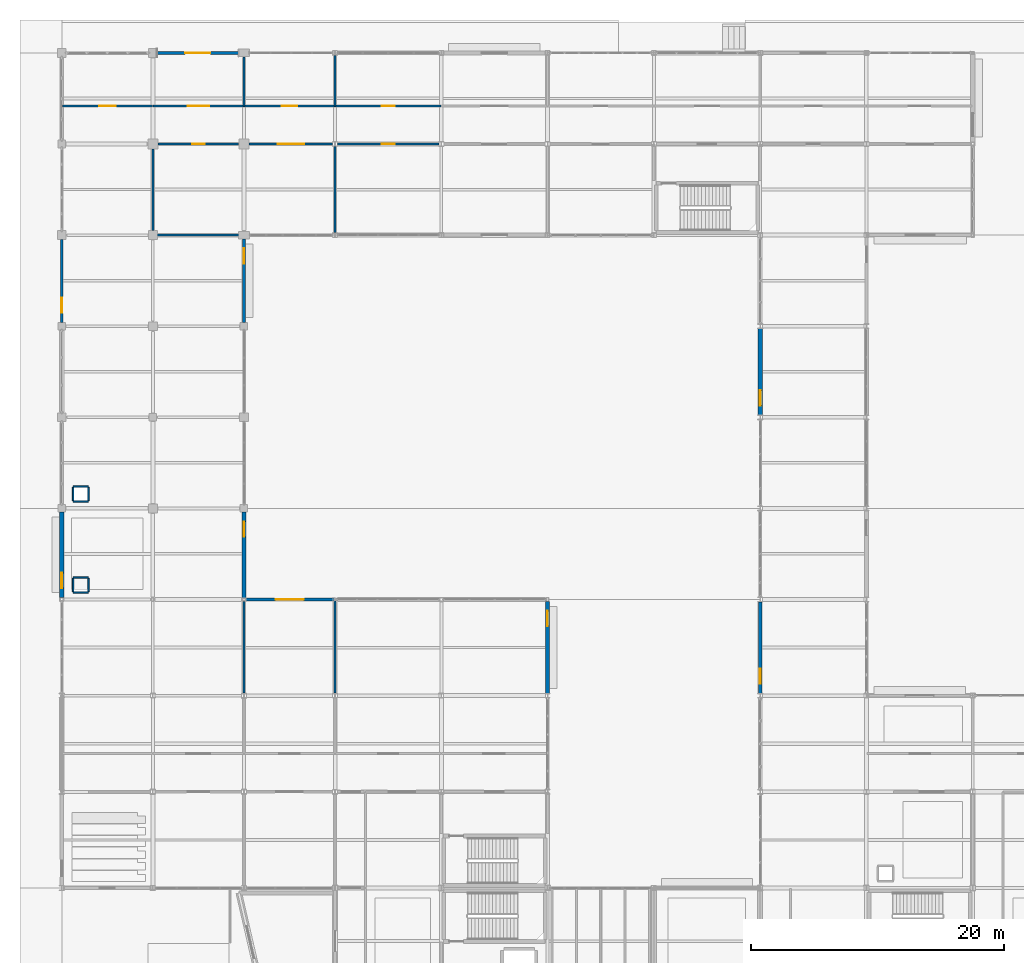
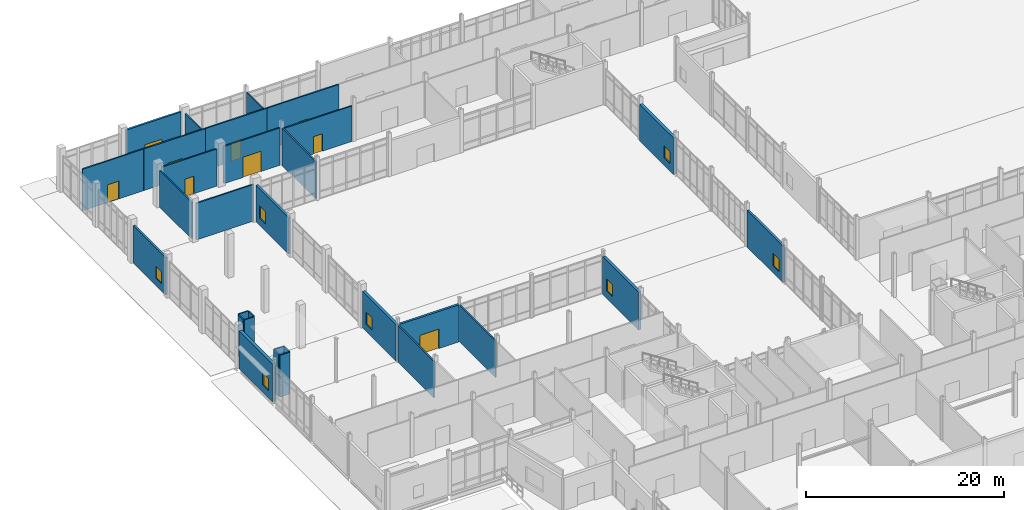
# One storey, part 195 of 229: 31 walls, 9 doors, 7 windows, 16 openings.
"""IFC4 building model written with IfcOpenShell, lengths in metres."""

from ifc_helpers import new_model, si_unit, direction, frame, frame_2d, origin, place, context, subcontext, project, spatial, rectangle, extrude, material, layer, layer_set, type_object, element, fill, save


model = new_model("IFC4")

# Units and contexts
model_context = context("Model", 3, precision=1e-05, world=origin(), true_north=direction((0.0, 1.0)))
body_context = subcontext(model_context, "Body", "Model", "MODEL_VIEW")
ifc_project = project(units=[si_unit("LENGTHUNIT", "METRE"), si_unit("AREAUNIT", "SQUARE_METRE"), si_unit("VOLUMEUNIT", "CUBIC_METRE"), si_unit("PLANEANGLEUNIT", "RADIAN"), si_unit("MASSUNIT", "GRAM", prefix="KILO")], contexts=[model_context])

# Site, building, storey
site_placement = place(None, origin())
site = spatial("IfcSite", under=ifc_project, at=site_placement, CompositionType="ELEMENT")
building_placement = place(site_placement, origin())
building = spatial("IfcBuilding", under=site, at=building_placement, Name="Calvrana Isthmian Art Gallery", CompositionType="ELEMENT")
storey_placement = place(building_placement, origin())
storey = spatial("IfcBuildingStorey", under=building, at=storey_placement, Name="L00", CompositionType="ELEMENT", Elevation=0.0)

# Wall, opening, door
ifc_material_1 = material(Name="Precast concrete C40/50", Category="concrete")
ifc_layer_1 = layer(ifc_material_1, 0.219970703125, Name="Precast concrete C40/50")
ifc_layer_set_1 = layer_set([ifc_layer_1], Name="Precast concrete C40/50")
wall_type_1 = type_object("IfcWallType", Name="EW-ACOUST-220", PredefinedType="SOLIDWALL", material=ifc_layer_set_1)
wall_1_placement = place(storey_placement, frame((7.550048828125, 112.800048828125, 0.0), z_axis=(0.0, 0.0, 1.0), x_axis=(1.0, 0.0, 0.0)))
wall_1 = element("IfcWall", 1, at=wall_1_placement, inside=storey, type_object=wall_type_1, Name="Exterior wall EW-023", PredefinedType="SOLIDWALL", context=body_context, shape_type="SweptSolid", body=[
    extrude(rectangle(XDim=6.39990234375, YDim=0.219970703125, at=frame_2d((3.199951171875, 0.0))), origin(), (0.0, 0.0, 1.0), 4.835205078125),
])
opening_1_placement = place(wall_1_placement, frame((2.199951171875, 0.0, 0.0)))
opening_1 = element("IfcOpeningElement", 2, at=opening_1_placement, cuts=wall_1, Name="Opening D-E14", PredefinedType="OPENING", context=body_context, shape_type="SweptSolid", body=[
    extrude(rectangle(XDim=2.0, YDim=2.25, at=frame_2d((1.0, 1.125))), frame((0.0, 0.1201171875, 0.0), z_axis=(0.0, -1.0, 0.0), x_axis=(1.0, 0.0, 0.0)), (0.0, 0.0, 1.0), 0.240478515625),
])
ifc_material_2 = material(Name="Steel ASTM A572 Gr 50", Category="steel")
door_type_1 = type_object("IfcDoorType", Name="DR-EXT-EXIT-2000", OperationType="DOUBLE_DOOR_SINGLE_SWING", PredefinedType="DOOR", material=ifc_material_2)
door_1_placement = place(opening_1_placement, origin())
door_1 = element("IfcDoor", 3, at=door_1_placement, inside=storey, type_object=door_type_1, Name="Main entrance pedestrian exit D-E14", OperationType="DOUBLE_DOOR_SINGLE_SWING", OverallHeight=2.25, OverallWidth=2.0, PredefinedType="DOOR", context=body_context, shape_type="SweptSolid", body=[
    extrude(rectangle(XDim=2.0, YDim=2.25, at=frame_2d((1.0, 1.125))), frame((0.0, 0.02490234375, 0.0), z_axis=(0.0, -1.0, 0.0), x_axis=(1.0, 0.0, 0.0)), (0.0, 0.0, 1.0), 0.050048828125),
])
fill(opening_1, door_1)

# Wall, opening, window
wall_2_placement = place(storey_placement, frame((0.0, 91.5, 0.0), z_axis=(0.0, 0.0, 1.0), x_axis=(0.0, 1.0, 0.0)))
wall_2 = element("IfcWall", 4, at=wall_2_placement, inside=storey, type_object=wall_type_1, Name="Exterior wall EW-031", PredefinedType="SOLIDWALL", context=body_context, shape_type="SweptSolid", body=[
    extrude(rectangle(XDim=6.550048828125, YDim=0.219970703125, at=frame_2d((3.27490234375, 0.0))), origin(), (0.0, 0.0, 1.0), 4.60693359375),
])
opening_2_placement = place(wall_2_placement, frame((0.75, 0.0, 0.89990234375)))
opening_2 = element("IfcOpeningElement", 5, at=opening_2_placement, cuts=wall_2, Name="Opening W-004", PredefinedType="OPENING", context=body_context, shape_type="SweptSolid", body=[
    extrude(rectangle(XDim=1.199951171875, YDim=1.5, at=frame_2d((0.60009765625, 0.75))), frame((0.0, 0.1201171875, 0.0), z_axis=(0.0, -1.0, 0.0), x_axis=(1.0, 0.0, 0.0)), (0.0, 0.0, 1.0), 0.240478515625),
])
ifc_material_3 = material(Name="Low-E laminated solar glass", Category="glass")
window_type = type_object("IfcWindowType", Name="WN-G01", PartitioningType="SINGLE_PANEL", PredefinedType="WINDOW", material=ifc_material_3)
window_1_placement = place(opening_2_placement, origin())
window_1 = element("IfcWindow", 6, at=window_1_placement, inside=storey, type_object=window_type, Name="Facade window W-004", OverallHeight=1.5, OverallWidth=1.199951171875, PartitioningType="SINGLE_PANEL", PredefinedType="WINDOW", context=body_context, shape_type="SweptSolid", body=[
    extrude(rectangle(XDim=1.199951171875, YDim=1.5, at=frame_2d((0.60009765625, 0.75))), frame((0.0, 0.030029296875, 0.0), z_axis=(0.0, -1.0, 0.0), x_axis=(1.0, 0.0, 0.0)), (0.0, 0.0, 1.0), 0.06005859375),
])
fill(opening_2, window_1)

ifc_material_4 = material(Name="Pale Isthmian limestone", Category="masonry")
ifc_layer_2 = layer(ifc_material_4, 0.300048828125, Name="Pale Isthmian limestone")
ifc_layer_set_2 = layer_set([ifc_layer_2], Name="Pale Isthmian limestone")
wall_type_2 = type_object("IfcWallType", Name="EW-LIME-300", PredefinedType="SOLIDWALL", material=ifc_layer_set_2)
wall_3_placement = place(storey_placement, frame((14.39990234375, 76.5, 0.0), z_axis=(0.0, 0.0, 1.0), x_axis=(0.0, -1.0, 0.0)))
wall_3 = element("IfcWall", 7, at=wall_3_placement, inside=storey, type_object=wall_type_2, Name="Exterior wall EW-032", PredefinedType="SOLIDWALL", context=body_context, shape_type="SweptSolid", body=[
    extrude(rectangle(XDim=6.77294921875, YDim=0.300048828125, at=frame_2d((3.386474609375, 0.0))), origin(), (0.0, 0.0, 1.0), 4.532958984375),
])
opening_3_placement = place(wall_3_placement, frame((0.75, 0.0, 0.89990234375)))
opening_3 = element("IfcOpeningElement", 8, at=opening_3_placement, cuts=wall_3, Name="Opening W-005", PredefinedType="OPENING", context=body_context, shape_type="SweptSolid", body=[
    extrude(rectangle(XDim=1.199951171875, YDim=1.5, at=frame_2d((0.60009765625, 0.75))), frame((0.0, 0.16015625, 0.0), z_axis=(0.0, -1.0, 0.0), x_axis=(1.0, 0.0, 0.0)), (0.0, 0.0, 1.0), 0.320556640625),
])
window_2_placement = place(opening_3_placement, origin())
window_2 = element("IfcWindow", 9, at=window_2_placement, inside=storey, type_object=window_type, Name="Facade window W-005", OverallHeight=1.5, OverallWidth=1.199951171875, PartitioningType="SINGLE_PANEL", PredefinedType="WINDOW", context=body_context, shape_type="SweptSolid", body=[
    extrude(rectangle(XDim=1.199951171875, YDim=1.5, at=frame_2d((0.60009765625, 0.75))), frame((0.0, 0.030029296875, 0.0), z_axis=(0.0, -1.0, 0.0), x_axis=(1.0, 0.0, 0.0)), (0.0, 0.0, 1.0), 0.06005859375),
])
fill(opening_3, window_2)

wall_4_placement = place(storey_placement, frame((38.39990234375, 69.447509765625, 0.0), z_axis=(0.0, 0.0, 1.0), x_axis=(0.0, -1.0, 0.0)))
wall_4 = element("IfcWall", 10, at=wall_4_placement, inside=storey, type_object=wall_type_2, Name="Exterior wall EW-036", PredefinedType="SOLIDWALL", context=body_context, shape_type="SweptSolid", body=[
    extrude(rectangle(XDim=7.26953125, YDim=0.300048828125, at=frame_2d((3.634765625, 0.0))), origin(), (0.0, 0.0, 1.0), 4.677978515625),
])
opening_4_placement = place(wall_4_placement, frame((0.75, 0.0, 0.89990234375)))
opening_4 = element("IfcOpeningElement", 11, at=opening_4_placement, cuts=wall_4, Name="Opening W-008", PredefinedType="OPENING", context=body_context, shape_type="SweptSolid", body=[
    extrude(rectangle(XDim=1.199951171875, YDim=1.5, at=frame_2d((0.60009765625, 0.75))), frame((0.0, 0.16015625, 0.0), z_axis=(0.0, -1.0, 0.0), x_axis=(1.0, 0.0, 0.0)), (0.0, 0.0, 1.0), 0.320556640625),
])
window_3_placement = place(opening_4_placement, origin())
window_3 = element("IfcWindow", 12, at=window_3_placement, inside=storey, type_object=window_type, Name="Facade window W-008", OverallHeight=1.5, OverallWidth=1.199951171875, PartitioningType="SINGLE_PANEL", PredefinedType="WINDOW", context=body_context, shape_type="SweptSolid", body=[
    extrude(rectangle(XDim=1.199951171875, YDim=1.5, at=frame_2d((0.60009765625, 0.75))), frame((0.0, 0.030029296875, 0.0), z_axis=(0.0, -1.0, 0.0), x_axis=(1.0, 0.0, 0.0)), (0.0, 0.0, 1.0), 0.06005859375),
])
fill(opening_4, window_3)

ifc_layer_3 = layer(ifc_material_1, 0.35009765625, Name="Precast concrete C40/50")
ifc_layer_set_3 = layer_set([ifc_layer_3], Name="Precast concrete C40/50")
wall_type_3 = type_object("IfcWallType", Name="EW-PREC-350", PredefinedType="SOLIDWALL", material=ifc_layer_set_3)
wall_5_placement = place(storey_placement, frame((0.0, 69.75244140625, 0.0), z_axis=(0.0, 0.0, 1.0), x_axis=(0.0, 1.0, 0.0)))
wall_5 = element("IfcWall", 13, at=wall_5_placement, inside=storey, type_object=wall_type_3, Name="Exterior wall EW-030", PredefinedType="SOLIDWALL", context=body_context, shape_type="SweptSolid", body=[
    extrude(rectangle(XDim=6.74755859375, YDim=0.35009765625, at=frame_2d((3.373779296875, 0.0))), origin(), (0.0, 0.0, 1.0), 4.677978515625),
])
opening_5_placement = place(wall_5_placement, frame((0.75, 0.0, 0.89990234375)))
opening_5 = element("IfcOpeningElement", 14, at=opening_5_placement, cuts=wall_5, Name="Opening W-003", PredefinedType="OPENING", context=body_context, shape_type="SweptSolid", body=[
    extrude(rectangle(XDim=1.199951171875, YDim=1.5, at=frame_2d((0.60009765625, 0.75))), frame((0.0, 0.185302734375, 0.0), z_axis=(0.0, -1.0, 0.0), x_axis=(1.0, 0.0, 0.0)), (0.0, 0.0, 1.0), 0.37060546875),
])
window_4_placement = place(opening_5_placement, origin())
window_4 = element("IfcWindow", 15, at=window_4_placement, inside=storey, type_object=window_type, Name="Facade window W-003", OverallHeight=1.5, OverallWidth=1.199951171875, PartitioningType="SINGLE_PANEL", PredefinedType="WINDOW", context=body_context, shape_type="SweptSolid", body=[
    extrude(rectangle(XDim=1.199951171875, YDim=1.5, at=frame_2d((0.60009765625, 0.75))), frame((0.0, 0.030029296875, 0.0), z_axis=(0.0, -1.0, 0.0), x_axis=(1.0, 0.0, 0.0)), (0.0, 0.0, 1.0), 0.06005859375),
])
fill(opening_5, window_4)

wall_6_placement = place(storey_placement, frame((55.199951171875, 84.181396484375, 0.0), z_axis=(0.0, 0.0, 1.0), x_axis=(0.0, 1.0, 0.0)))
wall_6 = element("IfcWall", 16, at=wall_6_placement, inside=storey, type_object=wall_type_3, Name="Exterior wall EW-038", PredefinedType="SOLIDWALL", context=body_context, shape_type="SweptSolid", body=[
    extrude(rectangle(XDim=6.834716796875, YDim=0.35009765625, at=frame_2d((3.41748046875, 0.0))), origin(), (0.0, 0.0, 1.0), 4.528076171875),
])
opening_6_placement = place(wall_6_placement, frame((0.75, 0.0, 0.89990234375)))
opening_6 = element("IfcOpeningElement", 17, at=opening_6_placement, cuts=wall_6, Name="Opening W-010", PredefinedType="OPENING", context=body_context, shape_type="SweptSolid", body=[
    extrude(rectangle(XDim=1.199951171875, YDim=1.5, at=frame_2d((0.60009765625, 0.75))), frame((0.0, 0.185302734375, 0.0), z_axis=(0.0, -1.0, 0.0), x_axis=(1.0, 0.0, 0.0)), (0.0, 0.0, 1.0), 0.37060546875),
])
window_5_placement = place(opening_6_placement, origin())
window_5 = element("IfcWindow", 18, at=window_5_placement, inside=storey, type_object=window_type, Name="Facade window W-010", OverallHeight=1.5, OverallWidth=1.199951171875, PartitioningType="SINGLE_PANEL", PredefinedType="WINDOW", context=body_context, shape_type="SweptSolid", body=[
    extrude(rectangle(XDim=1.199951171875, YDim=1.5, at=frame_2d((0.60009765625, 0.75))), frame((0.0, 0.030029296875, 0.0), z_axis=(0.0, -1.0, 0.0), x_axis=(1.0, 0.0, 0.0)), (0.0, 0.0, 1.0), 0.06005859375),
])
fill(opening_6, window_5)

# Wall, opening, door
ifc_material_5 = material(Name="Polychrome glazed terracotta", Category="masonry")
ifc_layer_4 = layer(ifc_material_5, 0.25, Name="Polychrome glazed terracotta")
ifc_layer_set_4 = layer_set([ifc_layer_4], Name="Polychrome glazed terracotta")
wall_type_4 = type_object("IfcWallType", Name="EW-TERRA-250", PredefinedType="SOLIDWALL", material=ifc_layer_set_4)
wall_7_placement = place(storey_placement, frame((14.527099609375, 69.60009765625, 0.0), z_axis=(0.0, 0.0, 1.0), x_axis=(1.0, 0.0, 0.0)))
wall_7 = element("IfcWall", 19, at=wall_7_placement, inside=storey, type_object=wall_type_4, Name="Exterior wall EW-017", PredefinedType="SOLIDWALL", context=body_context, shape_type="SweptSolid", body=[
    extrude(rectangle(XDim=6.97119140625, YDim=0.25, at=frame_2d((3.485595703125, 0.0))), origin(), (0.0, 0.0, 1.0), 4.591064453125),
])
opening_7_placement = place(wall_7_placement, frame((2.3857421875, 0.0, 0.0)))
opening_7 = element("IfcOpeningElement", 20, at=opening_7_placement, cuts=wall_7, Name="Opening D-E10", PredefinedType="OPENING", context=body_context, shape_type="SweptSolid", body=[
    extrude(rectangle(XDim=2.199951171875, YDim=2.39990234375, at=frame_2d((1.10009765625, 1.199951171875))), frame((0.0, 0.13525390625, 0.0), z_axis=(0.0, -1.0, 0.0), x_axis=(1.0, 0.0, 0.0)), (0.0, 0.0, 1.0), 0.2705078125),
])
ifc_material_6 = material(Name="Anodized bronze aluminium 6063-T6", Category="aluminium")
door_type_2 = type_object("IfcDoorType", Name="DR-EXT-MAIN-2200", OperationType="DOUBLE_DOOR_SINGLE_SWING", PredefinedType="DOOR", material=ifc_material_6)
door_2_placement = place(opening_7_placement, origin())
door_2 = element("IfcDoor", 21, at=door_2_placement, inside=storey, type_object=door_type_2, Name="Main entrance pedestrian exit D-E10", OperationType="DOUBLE_DOOR_SINGLE_SWING", OverallHeight=2.39990234375, OverallWidth=2.199951171875, PredefinedType="DOOR", context=body_context, shape_type="SweptSolid", body=[
    extrude(rectangle(XDim=2.199951171875, YDim=2.39990234375, at=frame_2d((1.10009765625, 1.199951171875))), frame((0.0, 0.02490234375, 0.0), z_axis=(0.0, -1.0, 0.0), x_axis=(1.0, 0.0, 0.0)), (0.0, 0.0, 1.0), 0.050048828125),
])
fill(opening_7, door_2)

# Wall, opening, window
wall_8_placement = place(storey_placement, frame((14.39990234375, 98.10009765625, 0.0), z_axis=(0.0, 0.0, 1.0), x_axis=(0.0, -1.0, 0.0)))
wall_8 = element("IfcWall", 22, at=wall_8_placement, inside=storey, type_object=wall_type_4, Name="Exterior wall EW-033", PredefinedType="SOLIDWALL", context=body_context, shape_type="SweptSolid", body=[
    extrude(rectangle(XDim=6.60009765625, YDim=0.25, at=frame_2d((3.300048828125, 0.0))), origin(), (0.0, 0.0, 1.0), 4.528076171875),
])
opening_8_placement = place(wall_8_placement, frame((0.75, 0.0, 0.89990234375)))
opening_8 = element("IfcOpeningElement", 23, at=opening_8_placement, cuts=wall_8, Name="Opening W-006", PredefinedType="OPENING", context=body_context, shape_type="SweptSolid", body=[
    extrude(rectangle(XDim=1.199951171875, YDim=1.5, at=frame_2d((0.60009765625, 0.75))), frame((0.0, 0.13525390625, 0.0), z_axis=(0.0, -1.0, 0.0), x_axis=(1.0, 0.0, 0.0)), (0.0, 0.0, 1.0), 0.2705078125),
])
window_6_placement = place(opening_8_placement, origin())
window_6 = element("IfcWindow", 24, at=window_6_placement, inside=storey, type_object=window_type, Name="Facade window W-006", OverallHeight=1.5, OverallWidth=1.199951171875, PartitioningType="SINGLE_PANEL", PredefinedType="WINDOW", context=body_context, shape_type="SweptSolid", body=[
    extrude(rectangle(XDim=1.199951171875, YDim=1.5, at=frame_2d((0.60009765625, 0.75))), frame((0.0, 0.030029296875, 0.0), z_axis=(0.0, -1.0, 0.0), x_axis=(1.0, 0.0, 0.0)), (0.0, 0.0, 1.0), 0.06005859375),
])
fill(opening_8, window_6)

wall_9_placement = place(storey_placement, frame((55.199951171875, 62.18408203125, 0.0), z_axis=(0.0, 0.0, 1.0), x_axis=(0.0, 1.0, 0.0)))
wall_9 = element("IfcWall", 25, at=wall_9_placement, inside=storey, type_object=wall_type_4, Name="Exterior wall EW-037", PredefinedType="SOLIDWALL", context=body_context, shape_type="SweptSolid", body=[
    extrude(rectangle(XDim=7.2294921875, YDim=0.25, at=frame_2d((3.61474609375, 0.0))), origin(), (0.0, 0.0, 1.0), 4.532958984375),
])
opening_9_placement = place(wall_9_placement, frame((0.75, 0.0, 0.89990234375)))
opening_9 = element("IfcOpeningElement", 26, at=opening_9_placement, cuts=wall_9, Name="Opening W-009", PredefinedType="OPENING", context=body_context, shape_type="SweptSolid", body=[
    extrude(rectangle(XDim=1.199951171875, YDim=1.5, at=frame_2d((0.60009765625, 0.75))), frame((0.0, 0.13525390625, 0.0), z_axis=(0.0, -1.0, 0.0), x_axis=(1.0, 0.0, 0.0)), (0.0, 0.0, 1.0), 0.2705078125),
])
window_7_placement = place(opening_9_placement, origin())
window_7 = element("IfcWindow", 27, at=window_7_placement, inside=storey, type_object=window_type, Name="Facade window W-009", OverallHeight=1.5, OverallWidth=1.199951171875, PartitioningType="SINGLE_PANEL", PredefinedType="WINDOW", context=body_context, shape_type="SweptSolid", body=[
    extrude(rectangle(XDim=1.199951171875, YDim=1.5, at=frame_2d((0.60009765625, 0.75))), frame((0.0, 0.030029296875, 0.0), z_axis=(0.0, -1.0, 0.0), x_axis=(1.0, 0.0, 0.0)), (0.0, 0.0, 1.0), 0.06005859375),
])
fill(opening_9, window_7)

# Walls
ifc_material_7 = material(Name="Acoustic gypsum ceiling", Category="gypsum")
ifc_layer_5 = layer(ifc_material_7, 0.1201171875, Name="Acoustic gypsum ceiling")
ifc_layer_set_5 = layer_set([ifc_layer_5], Name="Acoustic gypsum ceiling")
wall_type_5 = type_object("IfcWallType", Name="PW-FURR-120", PredefinedType="PARTITIONING", material=ifc_layer_set_5)
for number, where, z_axis, x_axis, name in (
    (28, (0.89990234375, 70.139892578125, 0.0), (0.0, 0.0, 1.0), (1.0, 0.0, 0.0), "MEP riser enclosure L00-5S"),
    (29, (0.89990234375, 71.340087890625, 0.0), (0.0, 0.0, 1.0), (1.0, 0.0, 0.0), "MEP riser enclosure L00-5N"),
):
    element("IfcWall", number, at=place(storey_placement, frame(where, z_axis=z_axis, x_axis=x_axis)), inside=storey, type_object=wall_type_5, Name=name, PredefinedType="PARTITIONING", context=body_context, shape_type="SweptSolid", body=[
        extrude(rectangle(XDim=1.2001953125, YDim=0.1201171875, at=frame_2d((0.60009765625, 0.0))), origin(), (0.0, 0.0, 1.0), 5.159912109375),
    ])
for number, where, z_axis, x_axis, name in (
    (30, (0.89990234375, 70.219970703125, 0.0), (0.0, 0.0, 1.0), (0.0, 1.0, 0.0), "MEP riser enclosure L00-5W"),
    (31, (2.10009765625, 70.219970703125, 0.0), (0.0, 0.0, 1.0), (0.0, 1.0, 0.0), "MEP riser enclosure L00-5E"),
):
    element("IfcWall", number, at=place(storey_placement, frame(where, z_axis=z_axis, x_axis=x_axis)), inside=storey, type_object=wall_type_5, Name=name, PredefinedType="PARTITIONING", context=body_context, shape_type="SweptSolid", body=[
        extrude(rectangle(XDim=1.0400390625, YDim=0.1201171875, at=frame_2d((0.52001953125, 0.0))), origin(), (0.0, 0.0, 1.0), 5.159912109375),
    ])
for number, where, z_axis, x_axis, name in (
    (32, (0.89990234375, 77.340087890625, 0.0), (0.0, 0.0, 1.0), (1.0, 0.0, 0.0), "MEP riser enclosure L00-8S"),
    (33, (0.89990234375, 78.5400390625, 0.0), (0.0, 0.0, 1.0), (1.0, 0.0, 0.0), "MEP riser enclosure L00-8N"),
):
    element("IfcWall", number, at=place(storey_placement, frame(where, z_axis=z_axis, x_axis=x_axis)), inside=storey, type_object=wall_type_5, Name=name, PredefinedType="PARTITIONING", context=body_context, shape_type="SweptSolid", body=[
        extrude(rectangle(XDim=1.2001953125, YDim=0.1201171875, at=frame_2d((0.60009765625, 0.0))), origin(), (0.0, 0.0, 1.0), 5.159912109375),
    ])
for number, where, z_axis, x_axis, name in (
    (34, (0.89990234375, 77.419921875, 0.0), (0.0, 0.0, 1.0), (0.0, 1.0, 0.0), "MEP riser enclosure L00-8W"),
    (35, (2.10009765625, 77.419921875, 0.0), (0.0, 0.0, 1.0), (0.0, 1.0, 0.0), "MEP riser enclosure L00-8E"),
):
    element("IfcWall", number, at=place(storey_placement, frame(where, z_axis=z_axis, x_axis=x_axis)), inside=storey, type_object=wall_type_5, Name=name, PredefinedType="PARTITIONING", context=body_context, shape_type="SweptSolid", body=[
        extrude(rectangle(XDim=1.0400390625, YDim=0.1201171875, at=frame_2d((0.52001953125, 0.0))), origin(), (0.0, 0.0, 1.0), 5.159912109375),
    ])
ifc_layer_6 = layer(ifc_material_7, 0.159912109375, Name="Acoustic gypsum ceiling")
ifc_layer_set_6 = layer_set([ifc_layer_6], Name="Acoustic gypsum ceiling")
wall_type_6 = type_object("IfcWallType", Name="PW-GAL-160", PredefinedType="PARTITIONING", material=ifc_layer_set_6)
wall_10_placement = place(storey_placement, frame((14.39990234375, 62.201416015625, 0.0), z_axis=(0.0, 0.0, 1.0), x_axis=(0.0, 1.0, 0.0)))
element("IfcWall", 36, at=wall_10_placement, inside=storey, type_object=wall_type_6, Name="Interior partition PW-173", PredefinedType="PARTITIONING", context=body_context, shape_type="SweptSolid", body=[
    extrude(rectangle(XDim=7.256591796875, YDim=0.159912109375, at=frame_2d((3.62841796875, 0.0))), origin(), (0.0, 0.0, 1.0), 4.528076171875),
])
wall_11_placement = place(storey_placement, frame((21.60009765625, 62.198974609375, 0.0), z_axis=(0.0, 0.0, 1.0), x_axis=(0.0, 1.0, 0.0)))
element("IfcWall", 37, at=wall_11_placement, inside=storey, type_object=wall_type_6, Name="Interior partition PW-176", PredefinedType="PARTITIONING", context=body_context, shape_type="SweptSolid", body=[
    extrude(rectangle(XDim=7.284423828125, YDim=0.159912109375, at=frame_2d((3.64208984375, 0.0))), origin(), (0.0, 0.0, 1.0), 4.532958984375),
])
wall_12_placement = place(storey_placement, frame((7.199951171875, 98.764892578125, 0.0), z_axis=(0.0, 0.0, 1.0), x_axis=(0.0, 1.0, 0.0)))
element("IfcWall", 38, at=wall_12_placement, inside=storey, type_object=wall_type_6, Name="Interior partition PW-270", PredefinedType="PARTITIONING", context=body_context, shape_type="SweptSolid", body=[
    extrude(rectangle(XDim=6.420166015625, YDim=0.159912109375, at=frame_2d((3.2099609375, 0.0))), origin(), (0.0, 0.0, 1.0), 4.528076171875),
])

# Wall, opening, door
wall_13_placement = place(storey_placement, frame((7.614990234375, 105.60009765625, 0.0), z_axis=(0.0, 0.0, 1.0), x_axis=(1.0, 0.0, 0.0)))
wall_13 = element("IfcWall", 39, at=wall_13_placement, inside=storey, type_object=wall_type_6, Name="Interior partition PW-271", PredefinedType="PARTITIONING", context=body_context, shape_type="SweptSolid", body=[
    extrude(rectangle(XDim=6.3701171875, YDim=0.159912109375, at=frame_2d((3.18505859375, 0.0))), origin(), (0.0, 0.0, 1.0), 4.591064453125),
])
opening_10_placement = place(wall_13_placement, frame((2.68505859375, 0.0, 0.0)))
opening_10 = element("IfcOpeningElement", 40, at=opening_10_placement, cuts=wall_13, Name="Opening D-330", PredefinedType="OPENING", context=body_context, shape_type="SweptSolid", body=[
    extrude(rectangle(XDim=1.0, YDim=2.14990234375, at=frame_2d((0.5, 1.074951171875))), frame((0.0, 0.09033203125, 0.0), z_axis=(0.0, -1.0, 0.0), x_axis=(1.0, 0.0, 0.0)), (0.0, 0.0, 1.0), 0.180419921875),
])
ifc_material_8 = material(Name="Timber gallery flooring", Category="wood")
door_type_3 = type_object("IfcDoorType", Name="DR-RM-1000", OperationType="NOTDEFINED", PredefinedType="DOOR", material=ifc_material_8)
door_3_placement = place(opening_10_placement, origin())
door_3 = element("IfcDoor", 41, at=door_3_placement, inside=storey, type_object=door_type_3, Name="Interior door D-330", OperationType="SINGLE_SWING_LEFT", OverallHeight=2.14990234375, OverallWidth=1.0, PredefinedType="DOOR", context=body_context, shape_type="SweptSolid", body=[
    extrude(rectangle(XDim=1.0, YDim=2.14990234375, at=frame_2d((0.5, 1.074951171875))), frame((0.0, 0.02490234375, 0.0), z_axis=(0.0, -1.0, 0.0), x_axis=(1.0, 0.0, 0.0)), (0.0, 0.0, 1.0), 0.050048828125),
])
fill(opening_10, door_3)

wall_14_placement = place(storey_placement, frame((14.81494140625, 105.60009765625, 0.0), z_axis=(0.0, 0.0, 1.0), x_axis=(1.0, 0.0, 0.0)))
wall_14 = element("IfcWall", 42, at=wall_14_placement, inside=storey, type_object=wall_type_6, Name="Interior partition PW-272", PredefinedType="PARTITIONING", context=body_context, shape_type="SweptSolid", body=[
    extrude(rectangle(XDim=6.5859375, YDim=0.159912109375, at=frame_2d((3.29296875, 0.0))), origin(), (0.0, 0.0, 1.0), 4.60693359375),
])
opening_11_placement = place(wall_14_placement, frame((2.242919921875, 0.0, 0.0)))
opening_11 = element("IfcOpeningElement", 43, at=opening_11_placement, cuts=wall_14, Name="Opening D-331", PredefinedType="OPENING", context=body_context, shape_type="SweptSolid", body=[
    extrude(rectangle(XDim=2.10009765625, YDim=2.5, at=frame_2d((1.050048828125, 1.25))), frame((0.0, 0.09033203125, 0.0), z_axis=(0.0, -1.0, 0.0), x_axis=(1.0, 0.0, 0.0)), (0.0, 0.0, 1.0), 0.180419921875),
])
door_type_4 = type_object("IfcDoorType", Name="DR-GAL-2100", OperationType="DOUBLE_DOOR_SINGLE_SWING", PredefinedType="DOOR", material=ifc_material_8)
door_4_placement = place(opening_11_placement, origin())
door_4 = element("IfcDoor", 44, at=door_4_placement, inside=storey, type_object=door_type_4, Name="Interior door D-331", OperationType="DOUBLE_DOOR_SINGLE_SWING", OverallHeight=2.5, OverallWidth=2.10009765625, PredefinedType="DOOR", context=body_context, shape_type="SweptSolid", body=[
    extrude(rectangle(XDim=2.10009765625, YDim=2.5, at=frame_2d((1.050048828125, 1.25))), frame((0.0, 0.02490234375, 0.0), z_axis=(0.0, -1.0, 0.0), x_axis=(1.0, 0.0, 0.0)), (0.0, 0.0, 1.0), 0.050048828125),
])
fill(opening_11, door_4)

# Wall
wall_15_placement = place(storey_placement, frame((21.60009765625, 98.6015625, 0.0), z_axis=(0.0, 0.0, 1.0), x_axis=(0.0, 1.0, 0.0)))
element("IfcWall", 45, at=wall_15_placement, inside=storey, type_object=wall_type_6, Name="Interior partition PW-273", PredefinedType="PARTITIONING", context=body_context, shape_type="SweptSolid", body=[
    extrude(rectangle(XDim=6.805419921875, YDim=0.159912109375, at=frame_2d((3.40283203125, 0.0))), origin(), (0.0, 0.0, 1.0), 4.60693359375),
])

# Wall, opening, door
wall_16_placement = place(storey_placement, frame((21.799072265625, 105.60009765625, 0.0), z_axis=(0.0, 0.0, 1.0), x_axis=(1.0, 0.0, 0.0)))
wall_16 = element("IfcWall", 46, at=wall_16_placement, inside=storey, type_object=wall_type_6, Name="Interior partition PW-274", PredefinedType="PARTITIONING", context=body_context, shape_type="SweptSolid", body=[
    extrude(rectangle(XDim=7.99951171875, YDim=0.159912109375, at=frame_2d((3.999755859375, 0.0))), origin(), (0.0, 0.0, 1.0), 4.3779296875),
])
opening_12_placement = place(wall_16_placement, frame((3.474853515625, 0.0, 0.0)))
opening_12 = element("IfcOpeningElement", 47, at=opening_12_placement, cuts=wall_16, Name="Opening D-332", PredefinedType="OPENING", context=body_context, shape_type="SweptSolid", body=[
    extrude(rectangle(XDim=1.050048828125, YDim=2.14990234375, at=frame_2d((0.52490234375, 1.074951171875))), frame((0.0, 0.09033203125, 0.0), z_axis=(0.0, -1.0, 0.0), x_axis=(1.0, 0.0, 0.0)), (0.0, 0.0, 1.0), 0.180419921875),
])
door_type_5 = type_object("IfcDoorType", Name="DR-RM-1050", OperationType="NOTDEFINED", PredefinedType="DOOR", material=ifc_material_8)
door_5_placement = place(opening_12_placement, origin())
door_5 = element("IfcDoor", 48, at=door_5_placement, inside=storey, type_object=door_type_5, Name="Interior door D-332", OperationType="SINGLE_SWING_RIGHT", OverallHeight=2.14990234375, OverallWidth=1.050048828125, PredefinedType="DOOR", context=body_context, shape_type="SweptSolid", body=[
    extrude(rectangle(XDim=1.050048828125, YDim=2.14990234375, at=frame_2d((0.52490234375, 1.074951171875))), frame((0.0, 0.02490234375, 0.0), z_axis=(0.0, -1.0, 0.0), x_axis=(1.0, 0.0, 0.0)), (0.0, 0.0, 1.0), 0.050048828125),
])
fill(opening_12, door_5)

wall_17_placement = place(storey_placement, frame((0.06005859375, 108.610107421875, 0.0), z_axis=(0.0, 0.0, 1.0), x_axis=(1.0, 0.0, 0.0)))
wall_17 = element("IfcWall", 49, at=wall_17_placement, inside=storey, type_object=wall_type_6, Name="Interior partition PW-280", PredefinedType="PARTITIONING", context=body_context, shape_type="SweptSolid", body=[
    extrude(rectangle(XDim=7.1298828125, YDim=0.159912109375, at=frame_2d((3.56494140625, 0.0))), origin(), (0.0, 0.0, 1.0), 5.139892578125),
])
opening_13_placement = place(wall_17_placement, frame((2.9150390625, 0.0, 0.0)))
opening_13 = element("IfcOpeningElement", 50, at=opening_13_placement, cuts=wall_17, Name="Opening D-337", PredefinedType="OPENING", context=body_context, shape_type="SweptSolid", body=[
    extrude(rectangle(XDim=1.300048828125, YDim=2.199951171875, at=frame_2d((0.64990234375, 1.10009765625))), frame((0.0, 0.09033203125, 0.0), z_axis=(0.0, -1.0, 0.0), x_axis=(1.0, 0.0, 0.0)), (0.0, 0.0, 1.0), 0.180419921875),
])
door_type_6 = type_object("IfcDoorType", Name="DR-RM-1300", OperationType="NOTDEFINED", PredefinedType="DOOR", material=ifc_material_8)
door_6_placement = place(opening_13_placement, origin())
door_6 = element("IfcDoor", 51, at=door_6_placement, inside=storey, type_object=door_type_6, Name="Interior door D-337", OperationType="SINGLE_SWING_LEFT", OverallHeight=2.199951171875, OverallWidth=1.300048828125, PredefinedType="DOOR", context=body_context, shape_type="SweptSolid", body=[
    extrude(rectangle(XDim=1.300048828125, YDim=2.199951171875, at=frame_2d((0.64990234375, 1.10009765625))), frame((0.0, 0.02490234375, 0.0), z_axis=(0.0, -1.0, 0.0), x_axis=(1.0, 0.0, 0.0)), (0.0, 0.0, 1.0), 0.050048828125),
])
fill(opening_13, door_6)

wall_18_placement = place(storey_placement, frame((7.2099609375, 108.610107421875, 0.0), z_axis=(0.0, 0.0, 1.0), x_axis=(1.0, 0.0, 0.0)))
wall_18 = element("IfcWall", 52, at=wall_18_placement, inside=storey, type_object=wall_type_6, Name="Interior partition PW-281", PredefinedType="PARTITIONING", context=body_context, shape_type="SweptSolid", body=[
    extrude(rectangle(XDim=7.179931640625, YDim=0.159912109375, at=frame_2d((3.58984375, 0.0))), origin(), (0.0, 0.0, 1.0), 5.139892578125),
])
opening_14_placement = place(wall_18_placement, frame((2.739990234375, 0.0, 0.0)))
opening_14 = element("IfcOpeningElement", 53, at=opening_14_placement, cuts=wall_18, Name="Opening D-338", PredefinedType="OPENING", context=body_context, shape_type="SweptSolid", body=[
    extrude(rectangle(XDim=1.699951171875, YDim=2.39990234375, at=frame_2d((0.85009765625, 1.199951171875))), frame((0.0, 0.09033203125, 0.0), z_axis=(0.0, -1.0, 0.0), x_axis=(1.0, 0.0, 0.0)), (0.0, 0.0, 1.0), 0.180419921875),
])
door_type_7 = type_object("IfcDoorType", Name="DR-GAL-1700", OperationType="DOUBLE_DOOR_SINGLE_SWING", PredefinedType="DOOR", material=ifc_material_8)
door_7_placement = place(opening_14_placement, origin())
door_7 = element("IfcDoor", 54, at=door_7_placement, inside=storey, type_object=door_type_7, Name="Interior door D-338", OperationType="DOUBLE_DOOR_SINGLE_SWING", OverallHeight=2.39990234375, OverallWidth=1.699951171875, PredefinedType="DOOR", context=body_context, shape_type="SweptSolid", body=[
    extrude(rectangle(XDim=1.699951171875, YDim=2.39990234375, at=frame_2d((0.85009765625, 1.199951171875))), frame((0.0, 0.02490234375, 0.0), z_axis=(0.0, -1.0, 0.0), x_axis=(1.0, 0.0, 0.0)), (0.0, 0.0, 1.0), 0.050048828125),
])
fill(opening_14, door_7)

# Wall
wall_19_placement = place(storey_placement, frame((14.39990234375, 108.6201171875, 0.0), z_axis=(0.0, 0.0, 1.0), x_axis=(0.0, 1.0, 0.0)))
element("IfcWall", 55, at=wall_19_placement, inside=storey, type_object=wall_type_6, Name="Interior partition PW-282", PredefinedType="PARTITIONING", context=body_context, shape_type="SweptSolid", body=[
    extrude(rectangle(XDim=3.864990234375, YDim=0.159912109375, at=frame_2d((1.9326171875, 0.0))), origin(), (0.0, 0.0, 1.0), 4.60693359375),
])

# Wall, opening, door
wall_20_placement = place(storey_placement, frame((14.409912109375, 108.610107421875, 0.0), z_axis=(0.0, 0.0, 1.0), x_axis=(1.0, 0.0, 0.0)))
wall_20 = element("IfcWall", 56, at=wall_20_placement, inside=storey, type_object=wall_type_6, Name="Interior partition PW-283", PredefinedType="PARTITIONING", context=body_context, shape_type="SweptSolid", body=[
    extrude(rectangle(XDim=7.18017578125, YDim=0.159912109375, at=frame_2d((3.590087890625, 0.0))), origin(), (0.0, 0.0, 1.0), 5.139892578125),
])
opening_15_placement = place(wall_20_placement, frame((2.989990234375, 0.0, 0.0)))
opening_15 = element("IfcOpeningElement", 57, at=opening_15_placement, cuts=wall_20, Name="Opening D-339", PredefinedType="OPENING", context=body_context, shape_type="SweptSolid", body=[
    extrude(rectangle(XDim=1.199951171875, YDim=2.199951171875, at=frame_2d((0.60009765625, 1.10009765625))), frame((0.0, 0.09033203125, 0.0), z_axis=(0.0, -1.0, 0.0), x_axis=(1.0, 0.0, 0.0)), (0.0, 0.0, 1.0), 0.180419921875),
])
door_type_8 = type_object("IfcDoorType", Name="DR-RM-1200", OperationType="NOTDEFINED", PredefinedType="DOOR", material=ifc_material_8)
door_8_placement = place(opening_15_placement, origin())
door_8 = element("IfcDoor", 58, at=door_8_placement, inside=storey, type_object=door_type_8, Name="Interior door D-339", OperationType="SINGLE_SWING_RIGHT", OverallHeight=2.199951171875, OverallWidth=1.199951171875, PredefinedType="DOOR", context=body_context, shape_type="SweptSolid", body=[
    extrude(rectangle(XDim=1.199951171875, YDim=2.199951171875, at=frame_2d((0.60009765625, 1.10009765625))), frame((0.0, 0.02490234375, 0.0), z_axis=(0.0, -1.0, 0.0), x_axis=(1.0, 0.0, 0.0)), (0.0, 0.0, 1.0), 0.050048828125),
])
fill(opening_15, door_8)

# Wall
wall_21_placement = place(storey_placement, frame((21.60009765625, 108.6201171875, 0.0), z_axis=(0.0, 0.0, 1.0), x_axis=(0.0, 1.0, 0.0)))
element("IfcWall", 59, at=wall_21_placement, inside=storey, type_object=wall_type_6, Name="Interior partition PW-284", PredefinedType="PARTITIONING", context=body_context, shape_type="SweptSolid", body=[
    extrude(rectangle(XDim=3.9833984375, YDim=0.159912109375, at=frame_2d((1.99169921875, 0.0))), origin(), (0.0, 0.0, 1.0), 4.677978515625),
])

# Wall, opening, door
wall_22_placement = place(storey_placement, frame((21.610107421875, 108.610107421875, 0.0), z_axis=(0.0, 0.0, 1.0), x_axis=(1.0, 0.0, 0.0)))
wall_22 = element("IfcWall", 60, at=wall_22_placement, inside=storey, type_object=wall_type_6, Name="Interior partition PW-285", PredefinedType="PARTITIONING", context=body_context, shape_type="SweptSolid", body=[
    extrude(rectangle(XDim=8.3798828125, YDim=0.159912109375, at=frame_2d((4.18994140625, 0.0))), origin(), (0.0, 0.0, 1.0), 5.139892578125),
])
opening_16_placement = place(wall_22_placement, frame((3.68994140625, 0.0, 0.0)))
opening_16 = element("IfcOpeningElement", 61, at=opening_16_placement, cuts=wall_22, Name="Opening D-340", PredefinedType="OPENING", context=body_context, shape_type="SweptSolid", body=[
    extrude(rectangle(XDim=1.0, YDim=2.14990234375, at=frame_2d((0.5, 1.074951171875))), frame((0.0, 0.09033203125, 0.0), z_axis=(0.0, -1.0, 0.0), x_axis=(1.0, 0.0, 0.0)), (0.0, 0.0, 1.0), 0.180419921875),
])
door_9_placement = place(opening_16_placement, origin())
door_9 = element("IfcDoor", 62, at=door_9_placement, inside=storey, type_object=door_type_3, Name="Interior door D-340", OperationType="SINGLE_SWING_LEFT", OverallHeight=2.14990234375, OverallWidth=1.0, PredefinedType="DOOR", context=body_context, shape_type="SweptSolid", body=[
    extrude(rectangle(XDim=1.0, YDim=2.14990234375, at=frame_2d((0.5, 1.074951171875))), frame((0.0, 0.02490234375, 0.0), z_axis=(0.0, -1.0, 0.0), x_axis=(1.0, 0.0, 0.0)), (0.0, 0.0, 1.0), 0.050048828125),
])
fill(opening_16, door_9)

# Wall
wall_23_placement = place(storey_placement, frame((7.419921875, 98.39990234375, 0.0), z_axis=(0.0, 0.0, 1.0), x_axis=(1.0, 0.0, 0.0)))
element("IfcWall", 63, at=wall_23_placement, inside=storey, type_object=wall_type_6, Name="Interior partition PW-293", PredefinedType="PARTITIONING", context=body_context, shape_type="SweptSolid", body=[
    extrude(rectangle(XDim=6.760009765625, YDim=0.159912109375, at=frame_2d((3.3798828125, 0.0))), origin(), (0.0, 0.0, 1.0), 4.532958984375),
])

save(model, "model.ifc")
